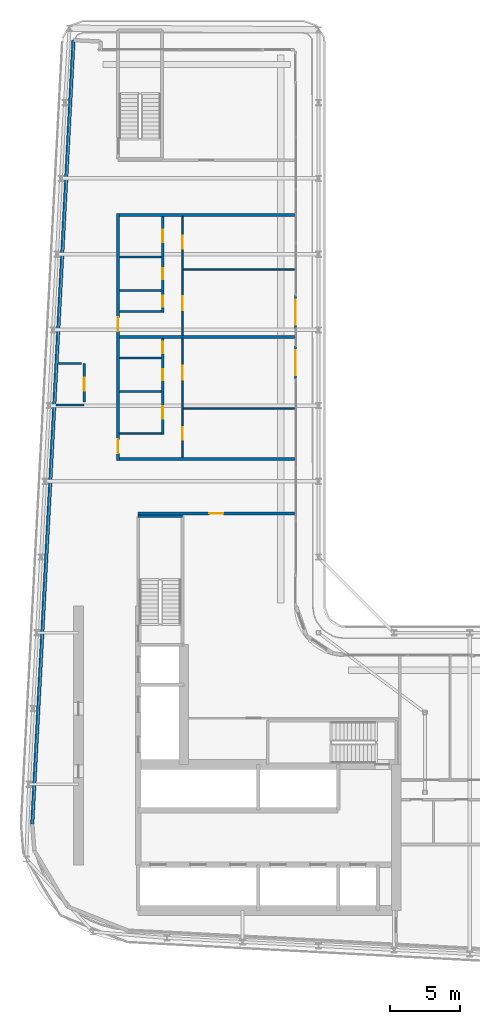
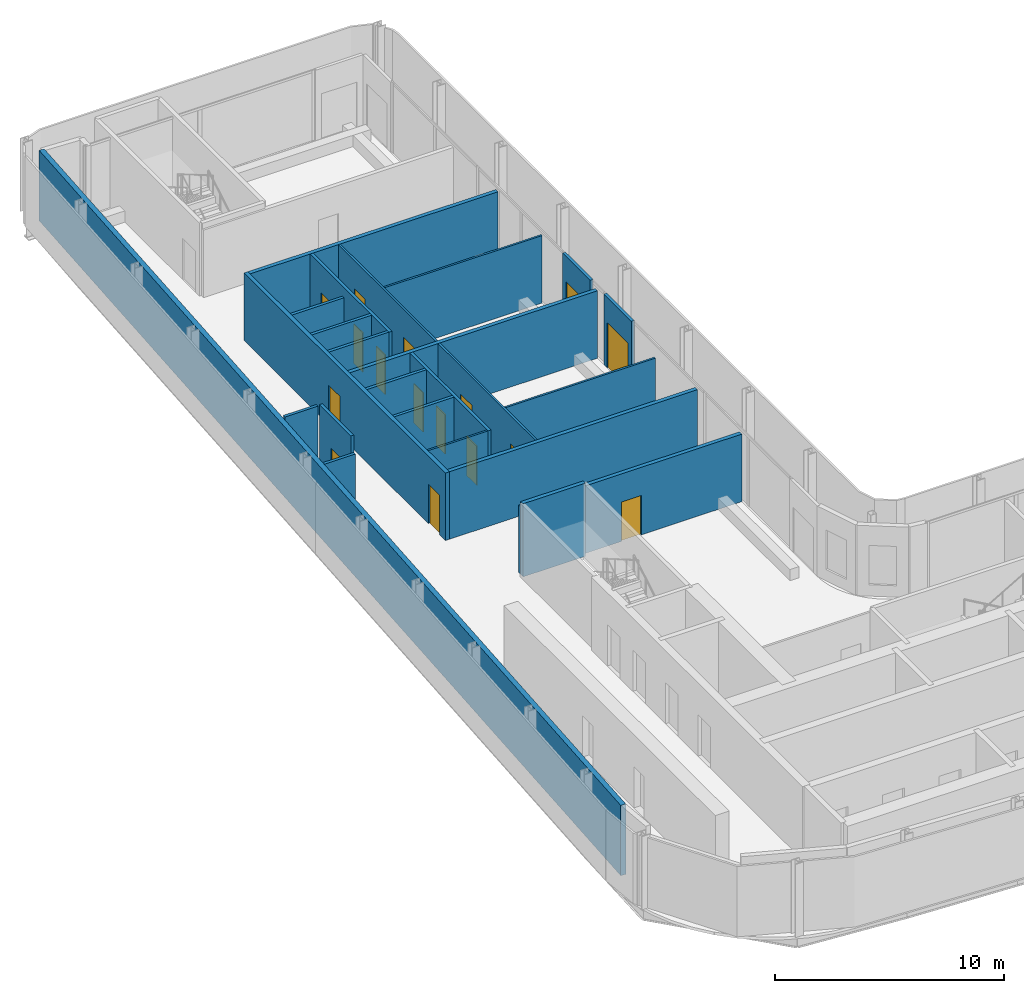
# One storey, part 13 of 21: 24 walls, 16 doors, 16 openings.
"""IFC4 building model written with IfcOpenShell, lengths in metres."""

from ifc_helpers import new_model, si_unit, direction, frame, frame_2d, origin, place, context, subcontext, project, spatial, rectangle, extrude, source, transform, mapped, material, layer, layer_set, type_object, element, fill, save


model = new_model("IFC4")

# Units and contexts
model_context = context("Model", 3, precision=1e-05, world=origin(), true_north=direction((0.0, 1.0)))
body_context = subcontext(model_context, "Body", "Model", "MODEL_VIEW")
ifc_project = project(units=[si_unit("LENGTHUNIT", "METRE"), si_unit("AREAUNIT", "SQUARE_METRE"), si_unit("VOLUMEUNIT", "CUBIC_METRE"), si_unit("PLANEANGLEUNIT", "RADIAN"), si_unit("MASSUNIT", "GRAM", prefix="KILO")], contexts=[model_context])

# Site, building, storey
site_placement = place(None, origin())
site = spatial("IfcSite", under=ifc_project, at=site_placement, CompositionType="ELEMENT")
building_placement = place(site_placement, origin())
building = spatial("IfcBuilding", under=site, at=building_placement, Name="Kheshtan School and Residences Tower", CompositionType="ELEMENT")
storey_placement = place(building_placement, frame((0.0, 0.0, 224.0)))
storey = spatial("IfcBuildingStorey", under=building, at=storey_placement, Name="L52", CompositionType="ELEMENT", Elevation=224.0)

# Wall, openings, doors
ifc_material_1 = material(Name="Gypsum board on steel studs with fire boards", Category="steel")
ifc_layer_1 = layer(ifc_material_1, 0.199951171875)
ifc_layer_set_1 = layer_set([ifc_layer_1], Name="Corridor wall 200")
wall_type_1 = type_object("IfcWallType", Name="Corridor wall 200", PredefinedType="PARTITIONING", material=ifc_layer_set_1)
wall_1_placement = place(storey_placement, frame((33.300048828125, 57.89990234375, 0.0), z_axis=(0.0, 0.0, 1.0), x_axis=(0.0, 1.0, 0.0)))
wall_1 = element("IfcWall", 1, at=wall_1_placement, inside=storey, type_object=wall_type_1, Name="Partition L52-001", PredefinedType="PARTITIONING", context=body_context, shape_type="SweptSolid", body=[
    extrude(rectangle(XDim=17.60009765625, YDim=0.199951171875, at=frame_2d((8.800048828125, 0.0))), origin(), (0.0, 0.0, 1.0), 3.60009765625),
])
opening_1_placement = place(wall_1_placement, frame((0.5, 0.0, 0.0)))
opening_1 = element("IfcOpeningElement", 2, at=opening_1_placement, cuts=wall_1, Name="Opening D52-022", PredefinedType="OPENING", context=body_context, shape_type="SweptSolid", body=[
    extrude(rectangle(XDim=1.0, YDim=2.10009765625, at=frame_2d((0.5, 1.050048828125))), frame((0.0, 0.10986328125, 0.0), z_axis=(0.0, -1.0, 0.0), x_axis=(1.0, 0.0, 0.0)), (0.0, 0.0, 1.0), 0.219970703125),
])
opening_2_placement = place(wall_1_placement, frame((9.199951171875, 0.0, 0.0)))
opening_2 = element("IfcOpeningElement", 3, at=opening_2_placement, cuts=wall_1, Name="Opening D52-028", PredefinedType="OPENING", context=body_context, shape_type="SweptSolid", body=[
    extrude(rectangle(XDim=1.0, YDim=2.10009765625, at=frame_2d((0.5, 1.050048828125))), frame((0.0, 0.10986328125, 0.0), z_axis=(0.0, -1.0, 0.0), x_axis=(1.0, 0.0, 0.0)), (0.0, 0.0, 1.0), 0.219970703125),
])
ifc_material_2 = material(Name="Steel-framed fire-resisting door leaf", Category="steel")
door_type_1 = type_object("IfcDoorType", Name="Fire door FD30S 1000 x 2100", OperationType="SINGLE_SWING_LEFT", PredefinedType="DOOR", material=ifc_material_2)
shared_shape_1 = source(origin(), body_context, "Body", "SweptSolid", [
    extrude(rectangle(XDim=1.0, YDim=2.10009765625, at=frame_2d((0.5, 1.050048828125))), frame((0.0, 0.02490234375, 0.0), z_axis=(0.0, -1.0, 0.0), x_axis=(1.0, 0.0, 0.0)), (0.0, 0.0, 1.0), 0.050048828125),
])
door_1_placement = place(opening_1_placement, origin())
door_1 = element("IfcDoor", 4, at=door_1_placement, inside=storey, type_object=door_type_1, Name="Door D52-022", OperationType="SINGLE_SWING_RIGHT", OverallHeight=2.10009765625, OverallWidth=1.0, PredefinedType="DOOR", context=body_context, shape_type="MappedRepresentation", body=[
    mapped(shared_shape_1, transform((0.0, 0.0, 0.0), x_axis=(1.0, 0.0, 0.0), y_axis=(0.0, 1.0, 0.0), z_axis=(0.0, 0.0, 1.0), scale=1.0)),
])
fill(opening_1, door_1)
door_2_placement = place(opening_2_placement, origin())
door_2 = element("IfcDoor", 5, at=door_2_placement, inside=storey, type_object=door_type_1, Name="Door D52-028", OperationType="SINGLE_SWING_LEFT", OverallHeight=2.10009765625, OverallWidth=1.0, PredefinedType="DOOR", context=body_context, shape_type="MappedRepresentation", body=[
    mapped(shared_shape_1, transform((0.0, 0.0, 0.0), x_axis=(1.0, 0.0, 0.0), y_axis=(0.0, 1.0, 0.0), z_axis=(0.0, 0.0, 1.0), scale=1.0)),
])
fill(opening_2, door_2)

# Walls
for number, where, z_axis, x_axis, name in (
    (6, (33.39990234375, 58.0, 0.0), (0.0, 0.0, 1.0), (1.0, 0.0, 0.0), "Partition L52-003"),
    (7, (33.39990234375, 75.39990234375, 0.0), (0.0, 0.0, 1.0), (1.0, 0.0, 0.0), "Partition L52-011"),
):
    element("IfcWall", number, at=place(storey_placement, frame(where, z_axis=z_axis, x_axis=x_axis)), inside=storey, type_object=wall_type_1, Name=name, PredefinedType="PARTITIONING", context=body_context, shape_type="SweptSolid", body=[
        extrude(rectangle(XDim=12.5, YDim=0.199951171875, at=frame_2d((6.25, 0.0))), origin(), (0.0, 0.0, 1.0), 3.60009765625),
    ])

# Wall, opening, door
wall_2_placement = place(storey_placement, frame((34.75, 54.10009765625, 0.0), z_axis=(0.0, 0.0, 1.0), x_axis=(1.0, 0.0, 0.0)))
wall_2 = element("IfcWall", 8, at=wall_2_placement, inside=storey, type_object=wall_type_1, Name="Partition L52-012", PredefinedType="PARTITIONING", context=body_context, shape_type="SweptSolid", body=[
    extrude(rectangle(XDim=11.14990234375, YDim=0.199951171875, at=frame_2d((5.574951171875, 0.0))), origin(), (0.0, 0.0, 1.0), 3.60009765625),
])
opening_3_placement = place(wall_2_placement, frame((5.074951171875, 0.0, 0.0)))
opening_3 = element("IfcOpeningElement", 9, at=opening_3_placement, cuts=wall_2, Name="Opening D52-034", PredefinedType="OPENING", context=body_context, shape_type="SweptSolid", body=[
    extrude(rectangle(XDim=1.0, YDim=2.10009765625, at=frame_2d((0.5, 1.050048828125))), frame((0.0, 0.10986328125, 0.0), z_axis=(0.0, -1.0, 0.0), x_axis=(1.0, 0.0, 0.0)), (0.0, 0.0, 1.0), 0.219970703125),
])
door_type_2 = type_object("IfcDoorType", Name="Fire door FD60 1000 x 2100", OperationType="SINGLE_SWING_LEFT", PredefinedType="DOOR", material=ifc_material_2)
shared_shape_2 = source(origin(), body_context, "Body", "SweptSolid", [
    extrude(rectangle(XDim=1.0, YDim=2.10009765625, at=frame_2d((0.5, 1.050048828125))), frame((0.0, 0.02490234375, 0.0), z_axis=(0.0, -1.0, 0.0), x_axis=(1.0, 0.0, 0.0)), (0.0, 0.0, 1.0), 0.050048828125),
])
door_3_placement = place(opening_3_placement, origin())
door_3 = element("IfcDoor", 10, at=door_3_placement, inside=storey, type_object=door_type_2, Name="Door D52-034", OperationType="SINGLE_SWING_LEFT", OverallHeight=2.10009765625, OverallWidth=1.0, PredefinedType="DOOR", context=body_context, shape_type="MappedRepresentation", body=[
    mapped(shared_shape_2, transform((0.0, 0.0, 0.0), x_axis=(1.0, 0.0, 0.0), y_axis=(0.0, 1.0, 0.0), z_axis=(0.0, 0.0, 1.0), scale=1.0)),
])
fill(opening_3, door_3)

# Wall
ifc_material_3 = material(Name="Concrete C40/50 with ceramic cladding and mineral wool insulation", Category="concrete")
ifc_layer_2 = layer(ifc_material_3, 0.25)
ifc_layer_set_2 = layer_set([ifc_layer_2], Name="External wall 250 ceramic clad")
wall_type_2 = type_object("IfcWallType", Name="External wall 250 ceramic clad", PredefinedType="SOLIDWALL", material=ifc_layer_set_2)
wall_3_placement = place(storey_placement, frame((27.195068359375, 31.968994140625, 0.0), z_axis=(0.0, 0.0, 1.0), x_axis=(0.052559748861, 0.998617781135, 0.0)))
element("IfcWall", 11, at=wall_3_placement, inside=storey, type_object=wall_type_2, Name="External wall L52 16", PredefinedType="SOLIDWALL", context=body_context, shape_type="SweptSolid", body=[
    extrude(rectangle(XDim=55.972412109375, YDim=0.25, at=frame_2d((27.986328125, 0.0))), origin(), (0.0, 0.0, 1.0), 3.75),
])

# Wall, opening, door
ifc_material_4 = material(Name="Aluminium frame wall with insulated infill", Category="aluminium")
ifc_layer_3 = layer(ifc_material_4, 0.14990234375)
ifc_layer_set_3 = layer_set([ifc_layer_3], Name="Glazing frame wall 150")
wall_type_3 = type_object("IfcWallType", Name="Glazing frame wall 150", PredefinedType="SOLIDWALL", material=ifc_layer_set_3)
wall_4_placement = place(storey_placement, frame((45.97509765625, 69.6650390625, 0.0), z_axis=(0.0, 0.0, 1.0), x_axis=(0.0, -1.0, 0.0)))
wall_4 = element("IfcWall", 12, at=wall_4_placement, inside=storey, type_object=wall_type_3, Name="Balcony door wall L52 4.2", PredefinedType="SOLIDWALL", context=body_context, shape_type="SweptSolid", body=[
    extrude(rectangle(XDim=2.400146484375, YDim=0.14990234375, at=frame_2d((1.2001953125, 0.0))), origin(), (0.0, 0.0, 1.0), 3.75),
])
opening_4_placement = place(wall_4_placement, frame((0.300048828125, 0.0, 0.0)))
opening_4 = element("IfcOpeningElement", 13, at=opening_4_placement, cuts=wall_4, Name="Opening BD", PredefinedType="OPENING", context=body_context, shape_type="SweptSolid", body=[
    extrude(rectangle(XDim=1.800048828125, YDim=2.39990234375, at=frame_2d((0.89990234375, 1.199951171875))), frame((0.0, 0.0849609375, 0.0), z_axis=(0.0, -1.0, 0.0), x_axis=(1.0, 0.0, 0.0)), (0.0, 0.0, 1.0), 0.169921875),
])
ifc_material_5 = material(Name="Clear low-e glass in thermally broken aluminium frame", Category="aluminium")
door_type_3 = type_object("IfcDoorType", Name="Balcony sliding door", OperationType="SLIDING_TO_LEFT", PredefinedType="DOOR", material=ifc_material_5)
shared_shape_3 = source(origin(), body_context, "Body", "SweptSolid", [
    extrude(rectangle(XDim=1.800048828125, YDim=2.39990234375, at=frame_2d((0.89990234375, 1.199951171875))), frame((0.0, 0.02490234375, 0.0), z_axis=(0.0, -1.0, 0.0), x_axis=(1.0, 0.0, 0.0)), (0.0, 0.0, 1.0), 0.050048828125),
])
door_4_placement = place(opening_4_placement, origin())
door_4 = element("IfcDoor", 14, at=door_4_placement, inside=storey, type_object=door_type_3, Name="Balcony door L52 4.2", OperationType="SLIDING_TO_LEFT", OverallHeight=2.39990234375, OverallWidth=1.800048828125, PredefinedType="DOOR", context=body_context, shape_type="MappedRepresentation", body=[
    mapped(shared_shape_3, transform((0.0, 0.0, 0.0), x_axis=(1.0, 0.0, 0.0), y_axis=(0.0, 1.0, 0.0), z_axis=(0.0, 0.0, 1.0), scale=1.0)),
])
fill(opening_4, door_4)

wall_5_placement = place(storey_placement, frame((45.97509765625, 66.06494140625, 0.0), z_axis=(0.0, 0.0, 1.0), x_axis=(0.0, -1.0, 0.0)))
wall_5 = element("IfcWall", 15, at=wall_5_placement, inside=storey, type_object=wall_type_3, Name="Balcony door wall L52 4.3", PredefinedType="SOLIDWALL", context=body_context, shape_type="SweptSolid", body=[
    extrude(rectangle(XDim=2.39990234375, YDim=0.14990234375, at=frame_2d((1.199951171875, 0.0))), origin(), (0.0, 0.0, 1.0), 3.75),
])
opening_5_placement = place(wall_5_placement, frame((0.300048828125, 0.0, 0.0)))
opening_5 = element("IfcOpeningElement", 16, at=opening_5_placement, cuts=wall_5, Name="Opening BD", PredefinedType="OPENING", context=body_context, shape_type="SweptSolid", body=[
    extrude(rectangle(XDim=1.800048828125, YDim=2.39990234375, at=frame_2d((0.89990234375, 1.199951171875))), frame((0.0, 0.0849609375, 0.0), z_axis=(0.0, -1.0, 0.0), x_axis=(1.0, 0.0, 0.0)), (0.0, 0.0, 1.0), 0.169921875),
])
door_5_placement = place(opening_5_placement, origin())
door_5 = element("IfcDoor", 17, at=door_5_placement, inside=storey, type_object=door_type_3, Name="Balcony door L52 4.3", OperationType="SLIDING_TO_LEFT", OverallHeight=2.39990234375, OverallWidth=1.800048828125, PredefinedType="DOOR", context=body_context, shape_type="MappedRepresentation", body=[
    mapped(shared_shape_3, transform((0.0, 0.0, 0.0), x_axis=(1.0, 0.0, 0.0), y_axis=(0.0, 1.0, 0.0), z_axis=(0.0, 0.0, 1.0), scale=1.0)),
])
fill(opening_5, door_5)

# Wall
ifc_material_6 = material(Name="Gypsum board on steel studs", Category="steel")
ifc_layer_4 = layer(ifc_material_6, 0.10009765625)
ifc_layer_set_4 = layer_set([ifc_layer_4], Name="Gypsum partition 100")
wall_type_4 = type_object("IfcWallType", Name="Gypsum partition 100", PredefinedType="PARTITIONING", material=ifc_layer_set_4)
wall_6_placement = place(storey_placement, frame((33.39990234375, 59.800048828125, 0.0), z_axis=(0.0, 0.0, 1.0), x_axis=(1.0, 0.0, 0.0)))
element("IfcWall", 18, at=wall_6_placement, inside=storey, type_object=wall_type_4, Name="Partition L52-004", PredefinedType="PARTITIONING", context=body_context, shape_type="SweptSolid", body=[
    extrude(rectangle(XDim=3.025146484375, YDim=0.10009765625, at=frame_2d((1.5126953125, 0.0))), origin(), (0.0, 0.0, 1.0), 3.60009765625),
])

# Wall, openings, doors
wall_7_placement = place(storey_placement, frame((37.89990234375, 58.10009765625, 0.0), z_axis=(0.0, 0.0, 1.0), x_axis=(0.0, 1.0, 0.0)))
wall_7 = element("IfcWall", 19, at=wall_7_placement, inside=storey, type_object=wall_type_4, Name="Partition L52-015", PredefinedType="PARTITIONING", context=body_context, shape_type="SweptSolid", body=[
    extrude(rectangle(XDim=8.5, YDim=0.10009765625, at=frame_2d((4.25, 0.0))), origin(), (0.0, 0.0, 1.0), 3.60009765625),
])
opening_6_placement = place(wall_7_placement, frame((1.25, 0.0, 0.0)))
opening_6 = element("IfcOpeningElement", 20, at=opening_6_placement, cuts=wall_7, Name="Opening D52-021", PredefinedType="OPENING", context=body_context, shape_type="SweptSolid", body=[
    extrude(rectangle(XDim=0.89990234375, YDim=2.10009765625, at=frame_2d((0.449951171875, 1.050048828125))), frame((0.0, 0.06005859375, 0.0), z_axis=(0.0, -1.0, 0.0), x_axis=(1.0, 0.0, 0.0)), (0.0, 0.0, 1.0), 0.1201171875),
])
opening_7_placement = place(wall_7_placement, frame((5.550048828125, 0.0, 0.0)))
opening_7 = element("IfcOpeningElement", 21, at=opening_7_placement, cuts=wall_7, Name="Opening D52-024", PredefinedType="OPENING", context=body_context, shape_type="SweptSolid", body=[
    extrude(rectangle(XDim=1.0, YDim=2.10009765625, at=frame_2d((0.5, 1.050048828125))), frame((0.0, 0.06005859375, 0.0), z_axis=(0.0, -1.0, 0.0), x_axis=(1.0, 0.0, 0.0)), (0.0, 0.0, 1.0), 0.1201171875),
])
ifc_material_7 = material(Name="Veneered timber door leaf", Category="wood")
door_type_4 = type_object("IfcDoorType", Name="Door 1000 x 2100", OperationType="SINGLE_SWING_LEFT", PredefinedType="DOOR", material=ifc_material_7)
shared_shape_4 = source(origin(), body_context, "Body", "SweptSolid", [
    extrude(rectangle(XDim=1.0, YDim=2.10009765625, at=frame_2d((0.5, 1.050048828125))), frame((0.0, 0.02490234375, 0.0), z_axis=(0.0, -1.0, 0.0), x_axis=(1.0, 0.0, 0.0)), (0.0, 0.0, 1.0), 0.050048828125),
])
door_6_placement = place(opening_7_placement, origin())
door_6 = element("IfcDoor", 22, at=door_6_placement, inside=storey, type_object=door_type_4, Name="Door D52-024", OperationType="SINGLE_SWING_RIGHT", OverallHeight=2.10009765625, OverallWidth=1.0, PredefinedType="DOOR", context=body_context, shape_type="MappedRepresentation", body=[
    mapped(shared_shape_4, transform((0.0, 0.0, 0.0), x_axis=(1.0, 0.0, 0.0), y_axis=(0.0, 1.0, 0.0), z_axis=(0.0, 0.0, 1.0), scale=1.0)),
])
fill(opening_7, door_6)
door_type_5 = type_object("IfcDoorType", Name="Door 900 x 2100", OperationType="SINGLE_SWING_LEFT", PredefinedType="DOOR", material=ifc_material_7)
shared_shape_5 = source(origin(), body_context, "Body", "SweptSolid", [
    extrude(rectangle(XDim=0.89990234375, YDim=2.10009765625, at=frame_2d((0.449951171875, 1.050048828125))), frame((0.0, 0.02490234375, 0.0), z_axis=(0.0, -1.0, 0.0), x_axis=(1.0, 0.0, 0.0)), (0.0, 0.0, 1.0), 0.050048828125),
])
door_7_placement = place(opening_6_placement, origin())
door_7 = element("IfcDoor", 23, at=door_7_placement, inside=storey, type_object=door_type_5, Name="Door D52-021", OperationType="SINGLE_SWING_LEFT", OverallHeight=2.10009765625, OverallWidth=0.89990234375, PredefinedType="DOOR", context=body_context, shape_type="MappedRepresentation", body=[
    mapped(shared_shape_5, transform((0.0, 0.0, 0.0), x_axis=(1.0, 0.0, 0.0), y_axis=(0.0, 1.0, 0.0), z_axis=(0.0, 0.0, 1.0), scale=1.0)),
])
fill(opening_6, door_7)

wall_8_placement = place(storey_placement, frame((37.89990234375, 66.800048828125, 0.0), z_axis=(0.0, 0.0, 1.0), x_axis=(0.0, 1.0, 0.0)))
wall_8 = element("IfcWall", 24, at=wall_8_placement, inside=storey, type_object=wall_type_4, Name="Partition L52-016", PredefinedType="PARTITIONING", context=body_context, shape_type="SweptSolid", body=[
    extrude(rectangle(XDim=8.5, YDim=0.10009765625, at=frame_2d((4.25, 0.0))), origin(), (0.0, 0.0, 1.0), 3.60009765625),
])
opening_8_placement = place(wall_8_placement, frame((6.199951171875, 0.0, 0.0)))
opening_8 = element("IfcOpeningElement", 25, at=opening_8_placement, cuts=wall_8, Name="Opening D52-027", PredefinedType="OPENING", context=body_context, shape_type="SweptSolid", body=[
    extrude(rectangle(XDim=0.89990234375, YDim=2.10009765625, at=frame_2d((0.449951171875, 1.050048828125))), frame((0.0, 0.06005859375, 0.0), z_axis=(0.0, -1.0, 0.0), x_axis=(1.0, 0.0, 0.0)), (0.0, 0.0, 1.0), 0.1201171875),
])
opening_9_placement = place(wall_8_placement, frame((1.800048828125, 0.0, 0.0)))
opening_9 = element("IfcOpeningElement", 26, at=opening_9_placement, cuts=wall_8, Name="Opening D52-030", PredefinedType="OPENING", context=body_context, shape_type="SweptSolid", body=[
    extrude(rectangle(XDim=1.0, YDim=2.10009765625, at=frame_2d((0.5, 1.050048828125))), frame((0.0, 0.06005859375, 0.0), z_axis=(0.0, -1.0, 0.0), x_axis=(1.0, 0.0, 0.0)), (0.0, 0.0, 1.0), 0.1201171875),
])
door_8_placement = place(opening_9_placement, origin())
door_8 = element("IfcDoor", 27, at=door_8_placement, inside=storey, type_object=door_type_4, Name="Door D52-030", OperationType="SINGLE_SWING_RIGHT", OverallHeight=2.10009765625, OverallWidth=1.0, PredefinedType="DOOR", context=body_context, shape_type="MappedRepresentation", body=[
    mapped(shared_shape_4, transform((0.0, 0.0, 0.0), x_axis=(1.0, 0.0, 0.0), y_axis=(0.0, 1.0, 0.0), z_axis=(0.0, 0.0, 1.0), scale=1.0)),
])
fill(opening_9, door_8)
door_9_placement = place(opening_8_placement, origin())
door_9 = element("IfcDoor", 28, at=door_9_placement, inside=storey, type_object=door_type_5, Name="Door D52-027", OperationType="SINGLE_SWING_RIGHT", OverallHeight=2.10009765625, OverallWidth=0.89990234375, PredefinedType="DOOR", context=body_context, shape_type="MappedRepresentation", body=[
    mapped(shared_shape_5, transform((0.0, 0.0, 0.0), x_axis=(1.0, 0.0, 0.0), y_axis=(0.0, 1.0, 0.0), z_axis=(0.0, 0.0, 1.0), scale=1.0)),
])
fill(opening_8, door_9)

# Walls
wall_9_placement = place(storey_placement, frame((37.949951171875, 61.60009765625, 0.0), z_axis=(0.0, 0.0, 1.0), x_axis=(1.0, 0.0, 0.0)))
element("IfcWall", 29, at=wall_9_placement, inside=storey, type_object=wall_type_4, Name="Partition L52-017", PredefinedType="PARTITIONING", context=body_context, shape_type="SweptSolid", body=[
    extrude(rectangle(XDim=7.949951171875, YDim=0.10009765625, at=frame_2d((3.97509765625, 0.0))), origin(), (0.0, 0.0, 1.0), 3.072021484375),
])
wall_10_placement = place(storey_placement, frame((37.949951171875, 71.5, 0.0), z_axis=(0.0, 0.0, 1.0), x_axis=(1.0, 0.0, 0.0)))
element("IfcWall", 30, at=wall_10_placement, inside=storey, type_object=wall_type_4, Name="Partition L52-018", PredefinedType="PARTITIONING", context=body_context, shape_type="SweptSolid", body=[
    extrude(rectangle(XDim=7.949951171875, YDim=0.10009765625, at=frame_2d((3.97509765625, 0.0))), origin(), (0.0, 0.0, 1.0), 3.60009765625),
])
ifc_material_8 = material(Name="Fire-board shaft wall system")
ifc_layer_5 = layer(ifc_material_8, 0.14990234375)
ifc_layer_set_5 = layer_set([ifc_layer_5], Name="Service room wall 150")
wall_type_5 = type_object("IfcWallType", Name="Service room wall 150", PredefinedType="PARTITIONING", material=ifc_layer_set_5)
wall_11_placement = place(storey_placement, frame((28.89599609375, 61.85107421875, 0.0), z_axis=(0.0, 0.0, 1.0), x_axis=(1.0, 0.0, 0.0)))
element("IfcWall", 31, at=wall_11_placement, inside=storey, type_object=wall_type_5, Name="Service room wall", PredefinedType="PARTITIONING", context=body_context, shape_type="SweptSolid", body=[
    extrude(rectangle(XDim=2.00390625, YDim=0.14990234375, at=frame_2d((1.001953125, 0.0))), origin(), (0.0, 0.0, 1.0), 3.072021484375),
])

# Wall, opening, door
wall_12_placement = place(storey_placement, frame((30.89990234375, 62.0458984375, 0.0), z_axis=(0.0, 0.0, 1.0), x_axis=(0.0, 1.0, 0.0)))
wall_12 = element("IfcWall", 32, at=wall_12_placement, inside=storey, type_object=wall_type_5, Name="Service room wall", PredefinedType="PARTITIONING", context=body_context, shape_type="SweptSolid", body=[
    extrude(rectangle(XDim=2.754150390625, YDim=0.14990234375, at=frame_2d((1.376953125, 0.0))), origin(), (0.0, 0.0, 1.0), 3.89990234375),
])
opening_10_placement = place(wall_12_placement, frame((0.830078125, 0.0, 0.0)))
opening_10 = element("IfcOpeningElement", 33, at=opening_10_placement, cuts=wall_12, Name="Opening SR90", PredefinedType="OPENING", context=body_context, shape_type="SweptSolid", body=[
    extrude(rectangle(XDim=0.89990234375, YDim=2.199951171875, at=frame_2d((0.449951171875, 1.10009765625))), frame((0.0, 0.0849609375, 0.0), z_axis=(0.0, -1.0, 0.0), x_axis=(1.0, 0.0, 0.0)), (0.0, 0.0, 1.0), 0.169921875),
])
ifc_material_9 = material(Name="Steel door leaf, galvanised", Category="steel")
door_type_6 = type_object("IfcDoorType", Name="Service room door 900 steel 90 min", OperationType="SINGLE_SWING_LEFT", PredefinedType="DOOR", material=ifc_material_9)
shared_shape_6 = source(origin(), body_context, "Body", "SweptSolid", [
    extrude(rectangle(XDim=0.89990234375, YDim=2.199951171875, at=frame_2d((0.449951171875, 1.10009765625))), frame((0.0, 0.02490234375, 0.0), z_axis=(0.0, -1.0, 0.0), x_axis=(1.0, 0.0, 0.0)), (0.0, 0.0, 1.0), 0.050048828125),
])
door_10_placement = place(opening_10_placement, origin())
door_10 = element("IfcDoor", 34, at=door_10_placement, inside=storey, type_object=door_type_6, Name="Service room door", OperationType="SINGLE_SWING_LEFT", OverallHeight=2.199951171875, OverallWidth=0.89990234375, PredefinedType="DOOR", context=body_context, shape_type="MappedRepresentation", body=[
    mapped(shared_shape_6, transform((0.0, 0.0, 0.0), x_axis=(1.0, 0.0, 0.0), y_axis=(0.0, 1.0, 0.0), z_axis=(0.0, 0.0, 1.0), scale=1.0)),
])
fill(opening_10, door_10)

# Walls
wall_13_placement = place(storey_placement, frame((29.051025390625, 64.800048828125, 0.0), z_axis=(0.0, 0.0, 1.0), x_axis=(1.0, 0.0, 0.0)))
element("IfcWall", 35, at=wall_13_placement, inside=storey, type_object=wall_type_5, Name="Service room wall", PredefinedType="PARTITIONING", context=body_context, shape_type="SweptSolid", body=[
    extrude(rectangle(XDim=1.654052734375, YDim=0.14990234375, at=frame_2d((0.8271484375, 0.0))), origin(), (0.0, 0.0, 1.0), 3.89990234375),
])
ifc_material_10 = material(Name="Concrete C40/50", Category="concrete")
ifc_layer_6 = layer(ifc_material_10, 0.199951171875)
ifc_layer_set_6 = layer_set([ifc_layer_6], Name="Stair enclosure wall 200 Concrete C40/50")
wall_type_6 = type_object("IfcWallType", Name="Stair enclosure wall 200 Concrete C40/50", PredefinedType="SHEAR", material=ifc_layer_set_6)
wall_14_placement = place(storey_placement, frame((34.75, 53.909912109375, 0.0), z_axis=(0.0, 0.0, 1.0), x_axis=(1.0, 0.0, 0.0)))
element("IfcWall", 36, at=wall_14_placement, inside=storey, type_object=wall_type_6, Name="Stair enclosure wall ST2", PredefinedType="SHEAR", context=body_context, shape_type="SweptSolid", body=[
    extrude(rectangle(XDim=3.14990234375, YDim=0.199951171875, at=frame_2d((1.574951171875, 0.0))), origin(), (0.0, 0.0, 1.0), 3.89990234375),
])
ifc_material_11 = material(Name="Twin gypsum board on steel studs with mineral wool", Category="steel")
ifc_layer_7 = layer(ifc_material_11, 0.199951171875)
ifc_layer_set_7 = layer_set([ifc_layer_7], Name="Unit demising wall 200")
wall_type_7 = type_object("IfcWallType", Name="Unit demising wall 200", PredefinedType="PARTITIONING", material=ifc_layer_set_7)
wall_15_placement = place(storey_placement, frame((33.39990234375, 66.699951171875, 0.0), z_axis=(0.0, 0.0, 1.0), x_axis=(1.0, 0.0, 0.0)))
element("IfcWall", 37, at=wall_15_placement, inside=storey, type_object=wall_type_7, Name="Partition L52-007", PredefinedType="PARTITIONING", context=body_context, shape_type="SweptSolid", body=[
    extrude(rectangle(XDim=12.5, YDim=0.199951171875, at=frame_2d((6.25, 0.0))), origin(), (0.0, 0.0, 1.0), 3.60009765625),
])
ifc_material_12 = material(Name="Moisture-resistant gypsum board on steel studs", Category="steel")
ifc_layer_8 = layer(ifc_material_12, 0.14990234375)
ifc_layer_set_8 = layer_set([ifc_layer_8], Name="Wet-room partition 150")
wall_type_8 = type_object("IfcWallType", Name="Wet-room partition 150", PredefinedType="PARTITIONING", material=ifc_layer_set_8)
for number, where, z_axis, x_axis, name in (
    (38, (33.39990234375, 62.800048828125, 0.0), (0.0, 0.0, 1.0), (1.0, 0.0, 0.0), "Partition L52-005"),
    (39, (33.39990234375, 65.199951171875, 0.0), (0.0, 0.0, 1.0), (1.0, 0.0, 0.0), "Partition L52-006"),
    (40, (33.39990234375, 68.5, 0.0), (0.0, 0.0, 1.0), (1.0, 0.0, 0.0), "Partition L52-008"),
    (41, (33.39990234375, 70.0, 0.0), (0.0, 0.0, 1.0), (1.0, 0.0, 0.0), "Partition L52-009"),
):
    element("IfcWall", number, at=place(storey_placement, frame(where, z_axis=z_axis, x_axis=x_axis)), inside=storey, type_object=wall_type_8, Name=name, PredefinedType="PARTITIONING", context=body_context, shape_type="SweptSolid", body=[
        extrude(rectangle(XDim=3.025146484375, YDim=0.14990234375, at=frame_2d((1.5126953125, 0.0))), origin(), (0.0, 0.0, 1.0), 3.60009765625),
    ])
wall_16_placement = place(storey_placement, frame((33.39990234375, 72.39990234375, 0.0), z_axis=(0.0, 0.0, 1.0), x_axis=(1.0, 0.0, 0.0)))
element("IfcWall", 42, at=wall_16_placement, inside=storey, type_object=wall_type_8, Name="Partition L52-010", PredefinedType="PARTITIONING", context=body_context, shape_type="SweptSolid", body=[
    extrude(rectangle(XDim=3.025146484375, YDim=0.14990234375, at=frame_2d((1.5126953125, 0.0))), origin(), (0.0, 0.0, 1.0), 3.072021484375),
])

# Wall, openings, doors
wall_17_placement = place(storey_placement, frame((36.5, 59.75, 0.0), z_axis=(0.0, 0.0, 1.0), x_axis=(0.0, 1.0, 0.0)))
wall_17 = element("IfcWall", 43, at=wall_17_placement, inside=storey, type_object=wall_type_8, Name="Partition L52-013", PredefinedType="PARTITIONING", context=body_context, shape_type="SweptSolid", body=[
    extrude(rectangle(XDim=6.85009765625, YDim=0.14990234375, at=frame_2d((3.425048828125, 0.0))), origin(), (0.0, 0.0, 1.0), 3.60009765625),
])
opening_11_placement = place(wall_17_placement, frame((3.85009765625, 0.0, 0.0)))
opening_11 = element("IfcOpeningElement", 44, at=opening_11_placement, cuts=wall_17, Name="Opening D52-020", PredefinedType="OPENING", context=body_context, shape_type="SweptSolid", body=[
    extrude(rectangle(XDim=0.800048828125, YDim=2.10009765625, at=frame_2d((0.39990234375, 1.050048828125))), frame((0.0, 0.0849609375, 0.0), z_axis=(0.0, -1.0, 0.0), x_axis=(1.0, 0.0, 0.0)), (0.0, 0.0, 1.0), 0.169921875),
])
opening_12_placement = place(wall_17_placement, frame((1.10009765625, 0.0, 0.0)))
opening_12 = element("IfcOpeningElement", 45, at=opening_12_placement, cuts=wall_17, Name="Opening D52-023", PredefinedType="OPENING", context=body_context, shape_type="SweptSolid", body=[
    extrude(rectangle(XDim=0.89990234375, YDim=2.10009765625, at=frame_2d((0.449951171875, 1.050048828125))), frame((0.0, 0.0849609375, 0.0), z_axis=(0.0, -1.0, 0.0), x_axis=(1.0, 0.0, 0.0)), (0.0, 0.0, 1.0), 0.169921875),
])
opening_13_placement = place(wall_17_placement, frame((5.800048828125, 0.0, 0.0)))
opening_13 = element("IfcOpeningElement", 46, at=opening_13_placement, cuts=wall_17, Name="Opening D52-025", PredefinedType="OPENING", context=body_context, shape_type="SweptSolid", body=[
    extrude(rectangle(XDim=0.800048828125, YDim=2.10009765625, at=frame_2d((0.39990234375, 1.050048828125))), frame((0.0, 0.0849609375, 0.0), z_axis=(0.0, -1.0, 0.0), x_axis=(1.0, 0.0, 0.0)), (0.0, 0.0, 1.0), 0.169921875),
])
door_type_7 = type_object("IfcDoorType", Name="Door 800 x 2100", OperationType="SINGLE_SWING_LEFT", PredefinedType="DOOR", material=ifc_material_7)
shared_shape_7 = source(origin(), body_context, "Body", "SweptSolid", [
    extrude(rectangle(XDim=0.800048828125, YDim=2.10009765625, at=frame_2d((0.39990234375, 1.050048828125))), frame((0.0, 0.02490234375, 0.0), z_axis=(0.0, -1.0, 0.0), x_axis=(1.0, 0.0, 0.0)), (0.0, 0.0, 1.0), 0.050048828125),
])
door_11_placement = place(opening_11_placement, origin())
door_11 = element("IfcDoor", 47, at=door_11_placement, inside=storey, type_object=door_type_7, Name="Door D52-020", OperationType="SINGLE_SWING_RIGHT", OverallHeight=2.10009765625, OverallWidth=0.800048828125, PredefinedType="DOOR", context=body_context, shape_type="MappedRepresentation", body=[
    mapped(shared_shape_7, transform((0.0, 0.0, 0.0), x_axis=(1.0, 0.0, 0.0), y_axis=(0.0, 1.0, 0.0), z_axis=(0.0, 0.0, 1.0), scale=1.0)),
])
fill(opening_11, door_11)
door_12_placement = place(opening_13_placement, origin())
door_12 = element("IfcDoor", 48, at=door_12_placement, inside=storey, type_object=door_type_7, Name="Door D52-025", OperationType="SINGLE_SWING_RIGHT", OverallHeight=2.10009765625, OverallWidth=0.800048828125, PredefinedType="DOOR", context=body_context, shape_type="MappedRepresentation", body=[
    mapped(shared_shape_7, transform((0.0, 0.0, 0.0), x_axis=(1.0, 0.0, 0.0), y_axis=(0.0, 1.0, 0.0), z_axis=(0.0, 0.0, 1.0), scale=1.0)),
])
fill(opening_13, door_12)
door_13_placement = place(opening_12_placement, origin())
door_13 = element("IfcDoor", 49, at=door_13_placement, inside=storey, type_object=door_type_5, Name="Door D52-023", OperationType="SINGLE_SWING_LEFT", OverallHeight=2.10009765625, OverallWidth=0.89990234375, PredefinedType="DOOR", context=body_context, shape_type="MappedRepresentation", body=[
    mapped(shared_shape_5, transform((0.0, 0.0, 0.0), x_axis=(1.0, 0.0, 0.0), y_axis=(0.0, 1.0, 0.0), z_axis=(0.0, 0.0, 1.0), scale=1.0)),
])
fill(opening_12, door_13)

wall_18_placement = place(storey_placement, frame((36.5, 68.425048828125, 0.0), z_axis=(0.0, 0.0, 1.0), x_axis=(0.0, 1.0, 0.0)))
wall_18 = element("IfcWall", 50, at=wall_18_placement, inside=storey, type_object=wall_type_8, Name="Partition L52-014", PredefinedType="PARTITIONING", context=body_context, shape_type="SweptSolid", body=[
    extrude(rectangle(XDim=6.875, YDim=0.14990234375, at=frame_2d((3.4375, 0.0))), origin(), (0.0, 0.0, 1.0), 3.60009765625),
])
opening_14_placement = place(wall_18_placement, frame((2.375, 0.0, 0.0)))
opening_14 = element("IfcOpeningElement", 51, at=opening_14_placement, cuts=wall_18, Name="Opening D52-026", PredefinedType="OPENING", context=body_context, shape_type="SweptSolid", body=[
    extrude(rectangle(XDim=0.800048828125, YDim=2.10009765625, at=frame_2d((0.39990234375, 1.050048828125))), frame((0.0, 0.0849609375, 0.0), z_axis=(0.0, -1.0, 0.0), x_axis=(1.0, 0.0, 0.0)), (0.0, 0.0, 1.0), 0.169921875),
])
opening_15_placement = place(wall_18_placement, frame((5.02490234375, 0.0, 0.0)))
opening_15 = element("IfcOpeningElement", 52, at=opening_15_placement, cuts=wall_18, Name="Opening D52-029", PredefinedType="OPENING", context=body_context, shape_type="SweptSolid", body=[
    extrude(rectangle(XDim=0.89990234375, YDim=2.10009765625, at=frame_2d((0.449951171875, 1.050048828125))), frame((0.0, 0.0849609375, 0.0), z_axis=(0.0, -1.0, 0.0), x_axis=(1.0, 0.0, 0.0)), (0.0, 0.0, 1.0), 0.169921875),
])
opening_16_placement = place(wall_18_placement, frame((0.425048828125, 0.0, 0.0)))
opening_16 = element("IfcOpeningElement", 53, at=opening_16_placement, cuts=wall_18, Name="Opening D52-031", PredefinedType="OPENING", context=body_context, shape_type="SweptSolid", body=[
    extrude(rectangle(XDim=0.800048828125, YDim=2.10009765625, at=frame_2d((0.39990234375, 1.050048828125))), frame((0.0, 0.0849609375, 0.0), z_axis=(0.0, -1.0, 0.0), x_axis=(1.0, 0.0, 0.0)), (0.0, 0.0, 1.0), 0.169921875),
])
door_14_placement = place(opening_14_placement, origin())
door_14 = element("IfcDoor", 54, at=door_14_placement, inside=storey, type_object=door_type_7, Name="Door D52-026", OperationType="SINGLE_SWING_RIGHT", OverallHeight=2.10009765625, OverallWidth=0.800048828125, PredefinedType="DOOR", context=body_context, shape_type="MappedRepresentation", body=[
    mapped(shared_shape_7, transform((0.0, 0.0, 0.0), x_axis=(1.0, 0.0, 0.0), y_axis=(0.0, 1.0, 0.0), z_axis=(0.0, 0.0, 1.0), scale=1.0)),
])
fill(opening_14, door_14)
door_15_placement = place(opening_16_placement, origin())
door_15 = element("IfcDoor", 55, at=door_15_placement, inside=storey, type_object=door_type_7, Name="Door D52-031", OperationType="SINGLE_SWING_RIGHT", OverallHeight=2.10009765625, OverallWidth=0.800048828125, PredefinedType="DOOR", context=body_context, shape_type="MappedRepresentation", body=[
    mapped(shared_shape_7, transform((0.0, 0.0, 0.0), x_axis=(1.0, 0.0, 0.0), y_axis=(0.0, 1.0, 0.0), z_axis=(0.0, 0.0, 1.0), scale=1.0)),
])
fill(opening_16, door_15)
door_16_placement = place(opening_15_placement, origin())
door_16 = element("IfcDoor", 56, at=door_16_placement, inside=storey, type_object=door_type_5, Name="Door D52-029", OperationType="SINGLE_SWING_RIGHT", OverallHeight=2.10009765625, OverallWidth=0.89990234375, PredefinedType="DOOR", context=body_context, shape_type="MappedRepresentation", body=[
    mapped(shared_shape_5, transform((0.0, 0.0, 0.0), x_axis=(1.0, 0.0, 0.0), y_axis=(0.0, 1.0, 0.0), z_axis=(0.0, 0.0, 1.0), scale=1.0)),
])
fill(opening_15, door_16)

save(model, "model.ifc")
